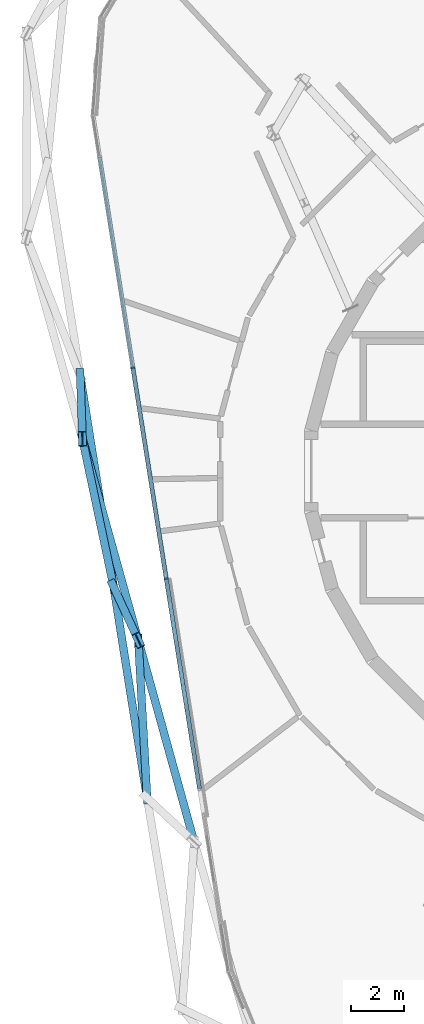
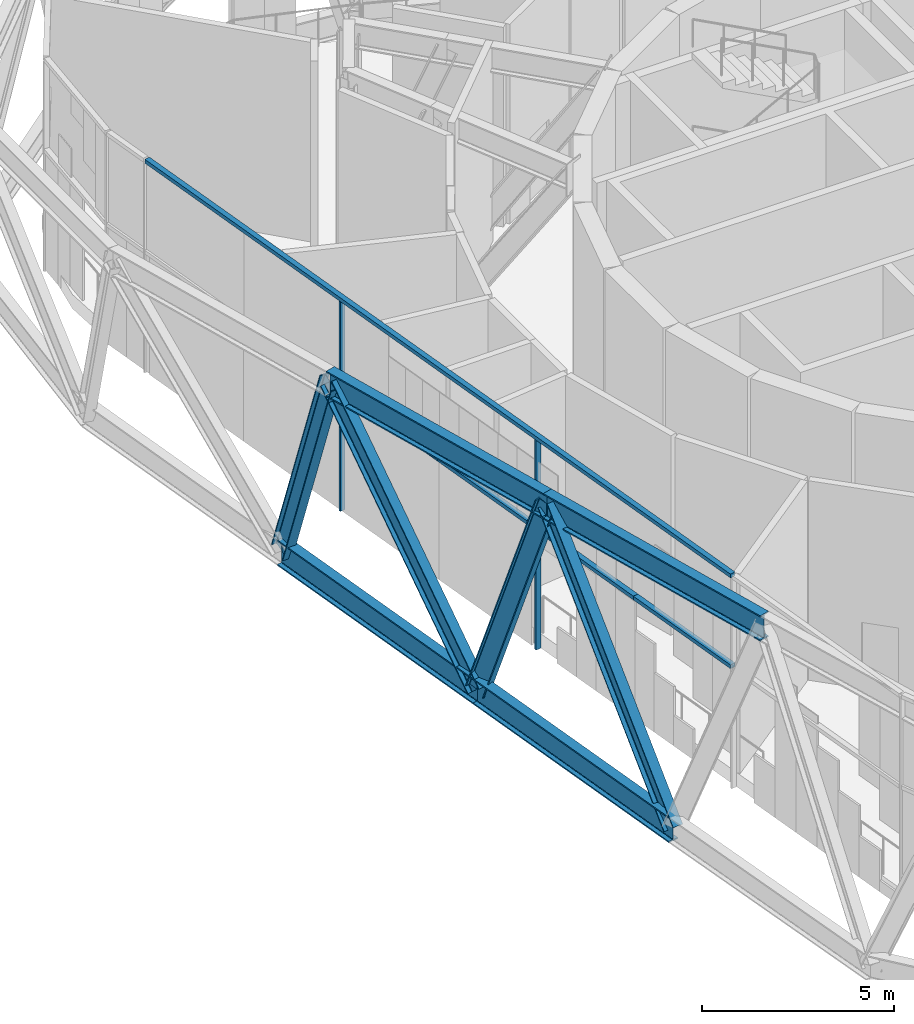
# One storey, part 3 of 25: 15 members, 1 element without a shape of its own.
"""IFC4 building model written with IfcOpenShell, lengths in metres."""

from ifc_helpers import new_model, si_unit, direction, frame, origin, origin_2d, place, context, subcontext, project, spatial, rectangle, i_section, extrude, material, layer, layer_set, material_profile, profile_set, type_object, element, aggregate, save


model = new_model("IFC4")

# Units and contexts
model_context = context("Model", 3, precision=1e-05, world=origin(), true_north=direction((0.0, 1.0)))
body_context = subcontext(model_context, "Body", "Model", "MODEL_VIEW")
ifc_project = project(units=[si_unit("LENGTHUNIT", "METRE"), si_unit("AREAUNIT", "SQUARE_METRE"), si_unit("VOLUMEUNIT", "CUBIC_METRE"), si_unit("PLANEANGLEUNIT", "RADIAN"), si_unit("MASSUNIT", "GRAM", prefix="KILO")], contexts=[model_context])

# Site, building, storey
site_placement = place(None, origin())
site = spatial("IfcSite", under=ifc_project, at=site_placement, CompositionType="ELEMENT")
building_placement = place(site_placement, origin())
building = spatial("IfcBuilding", under=site, at=building_placement, Name="Spindle Arch Residences", CompositionType="ELEMENT")
storey_placement = place(building_placement, frame((0.0, 0.0, 291.39990234375)))
storey = spatial("IfcBuildingStorey", under=building, at=storey_placement, Name="L75", CompositionType="ELEMENT", Elevation=291.39990234375)

# Members
ifc_material_1 = material(Name="Steel S460ML, intumescent coating R 240", Category="steel")
ifc_material_profile_1 = material_profile(ifc_material_1, i_section(OverallWidth=0.302978515625, OverallDepth=0.81396484375, WebThickness=0.02099609375, FlangeThickness=0.0400390625, FilletRadius=0.030029296875, at=origin_2d()), Name="HEM 800")
ifc_profile_set_1 = profile_set([ifc_material_profile_1], Name="Steel S460ML, intumescent coating R 240")
member_type_1 = type_object("IfcMemberType", Name="Belt truss chord HEM 800", PredefinedType="CHORD", material=ifc_profile_set_1)
for number, where, z_axis, x_axis, name in (
    (1, (-20.412353515625, 3.607666015625, -0.85693359375), (0.156463557124, -0.987683732423, 0.0), (0.987683732423, 0.156463557124, 0.0), "Belt truss bottom chord L75.13"),
    (2, (-19.143798828125, -4.400146484375, -0.85693359375), (0.156434181782, -0.987688385459, 0.0), (0.987688385459, 0.156434181782, 0.0), "Belt truss bottom chord L75.14"),
):
    element("IfcMember", number, at=place(storey_placement, frame(where, z_axis=z_axis, x_axis=x_axis)), inside=storey, type_object=member_type_1, Name=name, PredefinedType="CHORD", context=body_context, shape_type="SweptSolid", body=[
        extrude(i_section(OverallWidth=0.302978515625, OverallDepth=0.81396484375, WebThickness=0.02099609375, FlangeThickness=0.0400390625, FilletRadius=0.030029296875, at=origin_2d()), origin(), (0.0, 0.0, 1.0), 8.107666015625),
    ])
for number, where, z_axis, x_axis, name in (
    (3, (-20.3310546875, 1.223876953125, 5.943115234375), (0.267215385025, -0.963636828897, 0.0), (0.963636828897, 0.267215385025, 0.0), "Belt truss top chord L75.13"),
    (4, (-18.210693359375, -6.422607421875, 5.943115234375), (0.26724395521, -0.963628905961, 0.0), (0.963628905961, 0.26724395521, 0.0), "Belt truss top chord L75.14"),
):
    element("IfcMember", number, at=place(storey_placement, frame(where, z_axis=z_axis, x_axis=x_axis)), inside=storey, type_object=member_type_1, Name=name, PredefinedType="CHORD", context=body_context, shape_type="SweptSolid", body=[
        extrude(i_section(OverallWidth=0.302978515625, OverallDepth=0.81396484375, WebThickness=0.02099609375, FlangeThickness=0.0400390625, FilletRadius=0.030029296875, at=origin_2d()), origin(), (0.0, 0.0, 1.0), 7.93505859375),
    ])
ifc_material_2 = material(Name="Steel S460ML, intumescent coating R 240", Category="steel")
ifc_material_profile_2 = material_profile(ifc_material_2, i_section(OverallWidth=0.300048828125, OverallDepth=0.60009765625, WebThickness=0.015380859375, FlangeThickness=0.030029296875, FilletRadius=0.027099609375, at=origin_2d()), Name="HEB 600")
ifc_profile_set_2 = profile_set([ifc_material_profile_2], Name="Steel S460ML, intumescent coating R 240")
member_type_2 = type_object("IfcMemberType", Name="Belt truss diagonal HEB 600", PredefinedType="BRACE", material=ifc_profile_set_2)
member_1_placement = place(storey_placement, frame((-20.412353515625, 3.607666015625, -0.85693359375), z_axis=(0.011281744993, -0.330795670018, 0.943634964871), x_axis=(0.999418935595, 0.034085057922, 0.0)))
element("IfcMember", 5, at=member_1_placement, inside=storey, type_object=member_type_2, Name="Belt truss diagonal L75.13.13", PredefinedType="BRACE", context=body_context, shape_type="SweptSolid", body=[
    extrude(i_section(OverallWidth=0.300048828125, OverallDepth=0.60009765625, WebThickness=0.015380859375, FlangeThickness=0.030029296875, FilletRadius=0.027099609375, at=origin_2d()), origin(), (0.0, 0.0, 1.0), 7.206298828125),
])
member_2_placement = place(storey_placement, frame((-19.143798828125, -4.400146484375, -0.85693359375), z_axis=(-0.133340730203, 0.631634188967, 0.763713624991), x_axis=(-0.978435619502, -0.206552023686, 0.0)))
element("IfcMember", 6, at=member_2_placement, inside=storey, type_object=member_type_2, Name="Belt truss diagonal L75.13.14", PredefinedType="BRACE", context=body_context, shape_type="SweptSolid", body=[
    extrude(i_section(OverallWidth=0.300048828125, OverallDepth=0.60009765625, WebThickness=0.015380859375, FlangeThickness=0.030029296875, FilletRadius=0.027099609375, at=origin_2d()), origin(), (0.0, 0.0, 1.0), 8.90380859375),
])
member_3_placement = place(storey_placement, frame((-19.143798828125, -4.400146484375, -0.85693359375), z_axis=(0.130403291152, -0.282642821534, 0.950319955116), x_axis=(0.908017122137, 0.418933056592, 0.0)))
element("IfcMember", 7, at=member_3_placement, inside=storey, type_object=member_type_2, Name="Belt truss diagonal L75.14.14", PredefinedType="BRACE", context=body_context, shape_type="SweptSolid", body=[
    extrude(i_section(OverallWidth=0.300048828125, OverallDepth=0.60009765625, WebThickness=0.015380859375, FlangeThickness=0.030029296875, FilletRadius=0.027099609375, at=origin_2d()), origin(), (0.0, 0.0, 1.0), 7.155517578125),
])
member_4_placement = place(storey_placement, frame((-17.87548828125, -12.407958984375, -0.85693359375), z_axis=(-0.036977217931, 0.660257447056, 0.750128514964), x_axis=(-0.99843544187, -0.055916620235, 0.0)))
element("IfcMember", 8, at=member_4_placement, inside=storey, type_object=member_type_2, Name="Belt truss diagonal L75.14.15", PredefinedType="BRACE", context=body_context, shape_type="SweptSolid", body=[
    extrude(i_section(OverallWidth=0.300048828125, OverallDepth=0.60009765625, WebThickness=0.015380859375, FlangeThickness=0.030029296875, FilletRadius=0.027099609375, at=origin_2d()), origin(), (0.0, 0.0, 1.0), 9.065185546875),
])

# Curtain wall, members
ifc_material_3 = material(Name="Aluminium bronze unitised frame with tinted glass", Category="aluminium")
ifc_layer = layer(ifc_material_3, 0.159912109375)
ifc_layer_set = layer_set([ifc_layer], Name="CW-E double-height winter garden wall")
curtain_wall_type = type_object("IfcCurtainWallType", Name="CW-E double-height winter garden wall", PredefinedType="NOTDEFINED", material=ifc_layer_set)
curtain_wall_placement = place(storey_placement, origin())
curtain_wall = element("IfcCurtainWall", 9, at=curtain_wall_placement, inside=storey, type_object=curtain_wall_type, Name="CW-E L75 run 4", PredefinedType="NOTDEFINED")
ifc_material_4 = material(Name="Aluminium bronze anodised mullion", Category="aluminium")
ifc_material_profile_3 = material_profile(ifc_material_4, rectangle(XDim=0.159912109375, YDim=0.06005859375, at=origin_2d()), Name="MU 60x160")
ifc_profile_set_3 = profile_set([ifc_material_profile_3], Name="Aluminium bronze anodised mullion")
member_type_3 = type_object("IfcMemberType", Name="Bronze mullion 60x160", PredefinedType="MULLION", material=ifc_profile_set_3)
member_5_placement = place(storey_placement, frame((-18.417236328125, 3.923583984375, -0.449951171875), z_axis=(0.0, 0.0, 1.0), x_axis=(0.987688340595, 0.15643446504, 0.0)))
member_5 = element("IfcMember", 10, at=member_5_placement, type_object=member_type_3, Name="CW-E mullion 12", PredefinedType="MULLION", context=body_context, shape_type="SweptSolid", body=[
    extrude(rectangle(XDim=0.159912109375, YDim=0.06005859375, at=origin_2d()), origin(), (0.0, 0.0, 1.0), 6.679931640625),
])
member_6_placement = place(storey_placement, frame((-17.14892578125, -4.084228515625, -0.449951171875), z_axis=(0.0, 0.0, 1.0), x_axis=(0.987688340595, 0.15643446504, 0.0)))
member_6 = element("IfcMember", 11, at=member_6_placement, type_object=member_type_3, Name="CW-E mullion 13", PredefinedType="MULLION", context=body_context, shape_type="SweptSolid", body=[
    extrude(rectangle(XDim=0.159912109375, YDim=0.06005859375, at=origin_2d()), origin(), (0.0, 0.0, 1.0), 6.679931640625),
])
ifc_material_5 = material(Name="Aluminium bronze anodised transom", Category="aluminium")
ifc_material_profile_4 = material_profile(ifc_material_5, rectangle(XDim=0.159912109375, YDim=0.1201171875, at=origin_2d()), Name="TR 120x160")
ifc_profile_set_4 = profile_set([ifc_material_profile_4], Name="Aluminium bronze anodised transom")
member_type_4 = type_object("IfcMemberType", Name="Bronze transom 120x160", PredefinedType="USERDEFINED", material=ifc_profile_set_4)
member_7_placement = place(storey_placement, frame((-19.6806640625, 11.901611328125, 6.2900390625), z_axis=(0.156430704214, -0.987688936244, 0.0), x_axis=(0.987688936244, 0.156430704214, 0.0)))
member_7 = element("IfcMember", 12, at=member_7_placement, type_object=member_type_4, Name="CW-E transom 00", ObjectType="TRANSOM", PredefinedType="USERDEFINED", context=body_context, shape_type="SweptSolid", body=[
    extrude(rectangle(XDim=0.159912109375, YDim=0.1201171875, at=origin_2d()), origin(), (0.0, 0.0, 1.0), 24.262451171875),
])
member_8_placement = place(storey_placement, frame((-18.412353515625, 3.89404296875, 3.400146484375), z_axis=(0.156414323101, -0.987691530554, 0.0), x_axis=(0.987691530554, 0.156414323101, 0.0)))
member_8 = element("IfcMember", 13, at=member_8_placement, type_object=member_type_4, Name="CW-E transom 12Am", ObjectType="TRANSOM", PredefinedType="USERDEFINED", context=body_context, shape_type="SweptSolid", body=[
    extrude(rectangle(XDim=0.159912109375, YDim=0.1201171875, at=origin_2d()), origin(), (0.0, 0.0, 1.0), 4.02392578125),
])
member_9_placement = place(storey_placement, frame((-17.782958984375, -0.080322265625, 3.400146484375), z_axis=(0.156414323101, -0.987691530554, 0.0), x_axis=(0.987691530554, 0.156414323101, 0.0)))
member_9 = element("IfcMember", 14, at=member_9_placement, type_object=member_type_4, Name="CW-E transom 12Bm", ObjectType="TRANSOM", PredefinedType="USERDEFINED", context=body_context, shape_type="SweptSolid", body=[
    extrude(rectangle(XDim=0.159912109375, YDim=0.1201171875, at=origin_2d()), origin(), (0.0, 0.0, 1.0), 4.02392578125),
])
member_10_placement = place(storey_placement, frame((-17.14404296875, -4.11376953125, 3.400146484375), z_axis=(0.156414323101, -0.987691530554, 0.0), x_axis=(0.987691530554, 0.156414323101, 0.0)))
member_10 = element("IfcMember", 15, at=member_10_placement, type_object=member_type_4, Name="CW-E transom 13Am", ObjectType="TRANSOM", PredefinedType="USERDEFINED", context=body_context, shape_type="SweptSolid", body=[
    extrude(rectangle(XDim=0.159912109375, YDim=0.1201171875, at=origin_2d()), origin(), (0.0, 0.0, 1.0), 4.02392578125),
])
member_11_placement = place(storey_placement, frame((-16.5146484375, -8.088134765625, 3.400146484375), z_axis=(0.156423696933, -0.987690046036, 0.0), x_axis=(0.987690046036, 0.156423696933, 0.0)))
member_11 = element("IfcMember", 16, at=member_11_placement, type_object=member_type_4, Name="CW-E transom 13Bm", ObjectType="TRANSOM", PredefinedType="USERDEFINED", context=body_context, shape_type="SweptSolid", body=[
    extrude(rectangle(XDim=0.159912109375, YDim=0.1201171875, at=origin_2d()), origin(), (0.0, 0.0, 1.0), 4.023681640625),
])
aggregate(curtain_wall, [member_7, member_5, member_8, member_9, member_6, member_10, member_11])

save(model, "model.ifc")
